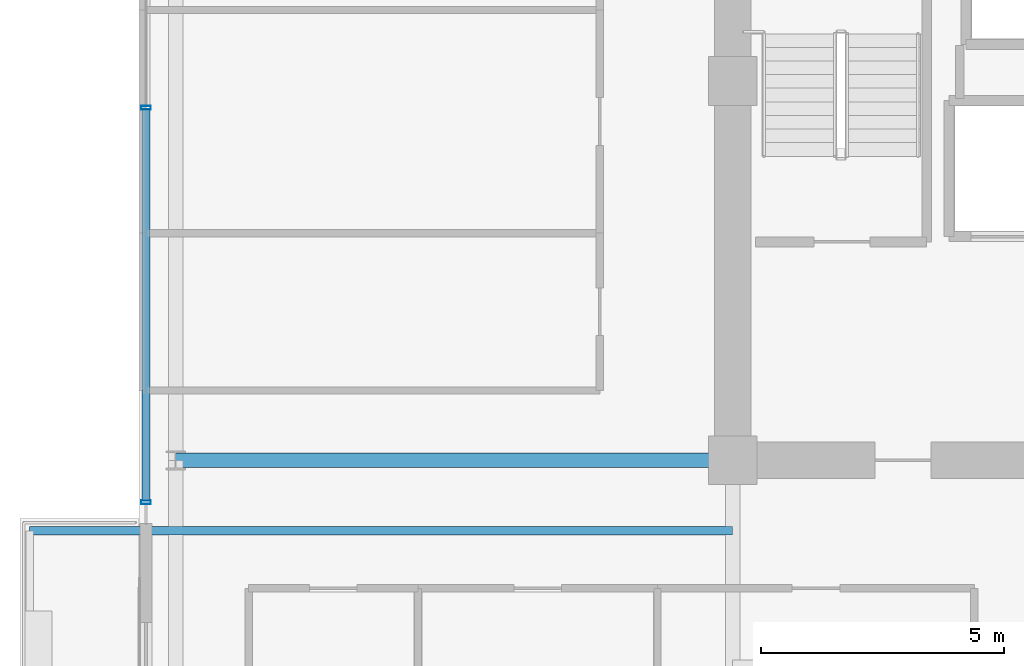
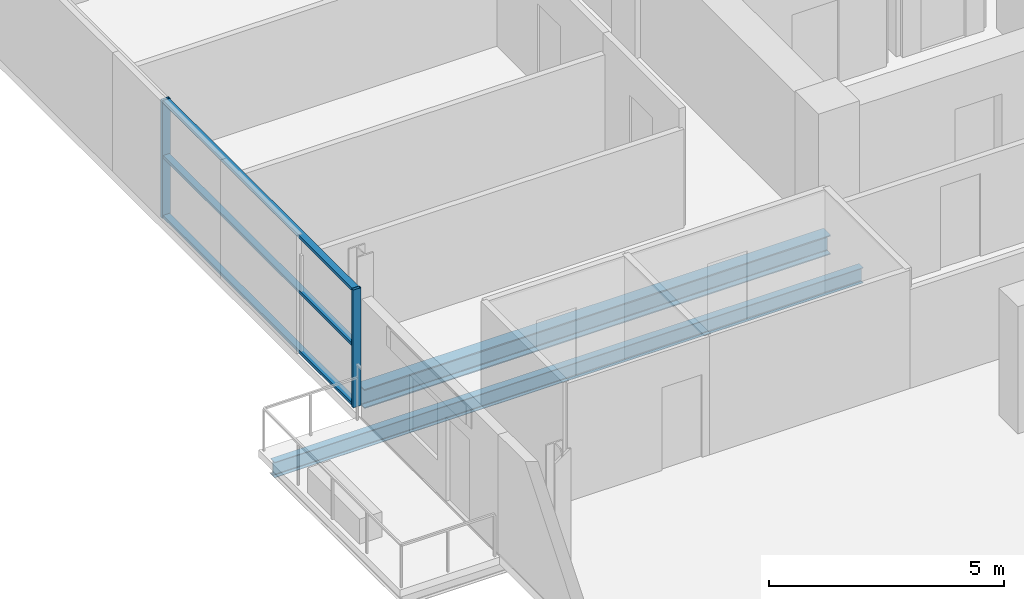
# One storey, part 4 of 21: 5 members, 2 beams, 1 element without a shape of its own.
"""IFC4 building model written with IfcOpenShell, lengths in metres."""

from ifc_helpers import new_model, si_unit, direction, frame, origin, origin_2d, place, context, subcontext, project, spatial, hollow_rectangle, i_section, extrude, source, transform, mapped, material, layer, layer_set, material_profile, profile_set, type_object, element, aggregate, save


model = new_model("IFC4")

# Units and contexts
model_context = context("Model", 3, precision=1e-05, world=origin(), true_north=direction((0.0, 1.0)))
body_context = subcontext(model_context, "Body", "Model", "MODEL_VIEW")
ifc_project = project(units=[si_unit("LENGTHUNIT", "METRE"), si_unit("AREAUNIT", "SQUARE_METRE"), si_unit("VOLUMEUNIT", "CUBIC_METRE"), si_unit("PLANEANGLEUNIT", "RADIAN"), si_unit("MASSUNIT", "GRAM", prefix="KILO")], contexts=[model_context])

# Site, building, storey
site_placement = place(None, origin())
site = spatial("IfcSite", under=ifc_project, at=site_placement, CompositionType="ELEMENT")
building_placement = place(site_placement, origin())
building = spatial("IfcBuilding", under=site, at=building_placement, Name="Zarnakvel Exchange Tower", CompositionType="ELEMENT")
storey_placement = place(building_placement, frame((0.0, 0.0, 166.0)))
storey = spatial("IfcBuildingStorey", under=building, at=storey_placement, Name="L46", CompositionType="ELEMENT", Elevation=166.0)

# Beams
ifc_material_1 = material(Name="Steel S355", Category="steel")
ifc_material_profile_1 = material_profile(ifc_material_1, i_section(OverallWidth=0.179931640625, OverallDepth=0.39990234375, WebThickness=0.008544921875, FlangeThickness=0.013427734375, FilletRadius=0.02099609375, at=origin_2d()))
ifc_profile_set_1 = profile_set([ifc_material_profile_1], Name="Steel S355")
beam_type_1 = type_object("IfcBeamType", Name="B-06", PredefinedType="JOIST", material=ifc_profile_set_1)
beam_1_placement = place(storey_placement, frame((-14.39990234375, -2.64990234375, -0.425048828125), z_axis=(-1.0, 0.0, 0.0), x_axis=(0.0, -1.0, 0.0)))
element("IfcBeam", 1, at=beam_1_placement, inside=storey, type_object=beam_type_1, Name="L46 Continuous West Loggia Beam N", PredefinedType="JOIST", context=body_context, shape_type="SweptSolid", body=[
    extrude(i_section(OverallWidth=0.179931640625, OverallDepth=0.39990234375, WebThickness=0.008544921875, FlangeThickness=0.013427734375, FilletRadius=0.02099609375, at=origin_2d()), origin(), (0.0, 0.0, 1.0), 14.4501953125),
])
ifc_material_profile_2 = material_profile(ifc_material_1, i_section(OverallWidth=0.300048828125, OverallDepth=0.5, WebThickness=0.014404296875, FlangeThickness=0.028076171875, FilletRadius=0.027099609375, at=origin_2d()))
ifc_profile_set_2 = profile_set([ifc_material_profile_2], Name="Steel S355")
beam_type_2 = type_object("IfcBeamType", Name="G-06", PredefinedType="BEAM", material=ifc_profile_set_2)
beam_2_placement = place(storey_placement, frame((-25.85009765625, -1.199951171875, -0.47509765625), z_axis=(1.0, 0.0, 0.0), x_axis=(0.0, 1.0, 0.0)))
element("IfcBeam", 2, at=beam_2_placement, inside=storey, type_object=beam_type_2, Name="L46 Tower E-W Frame Beam", PredefinedType="BEAM", context=body_context, shape_type="SweptSolid", body=[
    extrude(i_section(OverallWidth=0.300048828125, OverallDepth=0.5, WebThickness=0.014404296875, FlangeThickness=0.028076171875, FilletRadius=0.027099609375, at=origin_2d()), origin(), (0.0, 0.0, 1.0), 11.4501953125),
])

# Curtain wall, members
ifc_material_2 = material(Name="Architectural Bronze Anodised Aluminium", Category="aluminium")
ifc_layer = layer(ifc_material_2, 0.199951171875)
ifc_layer_set = layer_set([ifc_layer], Name="Architectural Bronze Anodised Aluminium")
curtain_wall_type = type_object("IfcCurtainWallType", Name="CW-04", PredefinedType="NOTDEFINED", material=ifc_layer_set)
curtain_wall_placement = place(storey_placement, origin())
curtain_wall = element("IfcCurtainWall", 3, at=curtain_wall_placement, inside=storey, type_object=curtain_wall_type, Name="L46 Curtain Wall CW-L46-WN (CW-04)", PredefinedType="NOTDEFINED")
ifc_material_profile_3 = material_profile(ifc_material_2, hollow_rectangle(XDim=0.199951171875, YDim=0.074951171875, WallThickness=0.0048828125, at=origin_2d()))
ifc_profile_set_3 = profile_set([ifc_material_profile_3], Name="Architectural Bronze Anodised Aluminium")
member_type_1 = type_object("IfcMemberType", Name="CWM-04", PredefinedType="MULLION", material=ifc_profile_set_3)
shared_shape_1 = source(origin(), body_context, "Body", "SweptSolid", [
    extrude(hollow_rectangle(XDim=0.199951171875, YDim=0.074951171875, WallThickness=0.0048828125, at=origin_2d()), origin(), (0.0, 0.0, 1.0), 3.054931640625),
])
member_1_placement = place(storey_placement, frame((-26.4599609375, -2.0625, 0.0), z_axis=(0.0, 0.0, 1.0), x_axis=(-1.0, 0.0, 0.0)))
member_1 = element("IfcMember", 4, at=member_1_placement, type_object=member_type_1, Name="CW-04 mullion 1", PredefinedType="MULLION", context=body_context, shape_type="MappedRepresentation", body=[
    mapped(shared_shape_1, transform((0.0, 0.0, 0.0), x_axis=(1.0, 0.0, 0.0), y_axis=(0.0, 1.0, 0.0), z_axis=(0.0, 0.0, 1.0), scale=1.0)),
])
member_2_placement = place(storey_placement, frame((-26.4599609375, 6.050048828125, 0.0), z_axis=(0.0, 0.0, 1.0), x_axis=(-1.0, 0.0, 0.0)))
member_2 = element("IfcMember", 5, at=member_2_placement, type_object=member_type_1, Name="CW-04 mullion 2", PredefinedType="MULLION", context=body_context, shape_type="MappedRepresentation", body=[
    mapped(shared_shape_1, transform((0.0, 0.0, 0.0), x_axis=(1.0, 0.0, 0.0), y_axis=(0.0, 1.0, 0.0), z_axis=(0.0, 0.0, 1.0), scale=1.0)),
])
ifc_material_profile_4 = material_profile(ifc_material_2, hollow_rectangle(XDim=0.159912109375, YDim=0.074951171875, WallThickness=0.00390625, at=origin_2d()))
ifc_profile_set_4 = profile_set([ifc_material_profile_4], Name="Architectural Bronze Anodised Aluminium")
member_type_2 = type_object("IfcMemberType", Name="CWT-04", PredefinedType="USERDEFINED", material=ifc_profile_set_4)
shared_shape_2 = source(origin(), body_context, "Body", "SweptSolid", [
    extrude(hollow_rectangle(XDim=0.159912109375, YDim=0.074951171875, WallThickness=0.00390625, at=origin_2d()), origin(), (0.0, 0.0, 1.0), 8.037353515625),
])
member_3_placement = place(storey_placement, frame((-26.4599609375, -2.02490234375, 0.03759765625), z_axis=(0.0, 1.0, 0.0), x_axis=(-1.0, 0.0, 0.0)))
member_3 = element("IfcMember", 6, at=member_3_placement, type_object=member_type_2, Name="CW-04 transom 1.1", ObjectType="TRANSOM", PredefinedType="USERDEFINED", context=body_context, shape_type="MappedRepresentation", body=[
    mapped(shared_shape_2, transform((0.0, 0.0, 0.0), x_axis=(1.0, 0.0, 0.0), y_axis=(0.0, 1.0, 0.0), z_axis=(0.0, 0.0, 1.0), scale=1.0)),
])
member_4_placement = place(storey_placement, frame((-26.4599609375, -2.02490234375, 1.588623046875), z_axis=(0.0, 1.0, 0.0), x_axis=(-1.0, 0.0, 0.0)))
member_4 = element("IfcMember", 7, at=member_4_placement, type_object=member_type_2, Name="CW-04 transom 1.2", ObjectType="TRANSOM", PredefinedType="USERDEFINED", context=body_context, shape_type="MappedRepresentation", body=[
    mapped(shared_shape_2, transform((0.0, 0.0, 0.0), x_axis=(1.0, 0.0, 0.0), y_axis=(0.0, 1.0, 0.0), z_axis=(0.0, 0.0, 1.0), scale=1.0)),
])
member_5_placement = place(storey_placement, frame((-26.4599609375, -2.02490234375, 3.017578125), z_axis=(0.0, 1.0, 0.0), x_axis=(-1.0, 0.0, 0.0)))
member_5 = element("IfcMember", 8, at=member_5_placement, type_object=member_type_2, Name="CW-04 transom 1.3", ObjectType="TRANSOM", PredefinedType="USERDEFINED", context=body_context, shape_type="MappedRepresentation", body=[
    mapped(shared_shape_2, transform((0.0, 0.0, 0.0), x_axis=(1.0, 0.0, 0.0), y_axis=(0.0, 1.0, 0.0), z_axis=(0.0, 0.0, 1.0), scale=1.0)),
])
aggregate(curtain_wall, [member_1, member_2, member_3, member_4, member_5])

save(model, "model.ifc")
